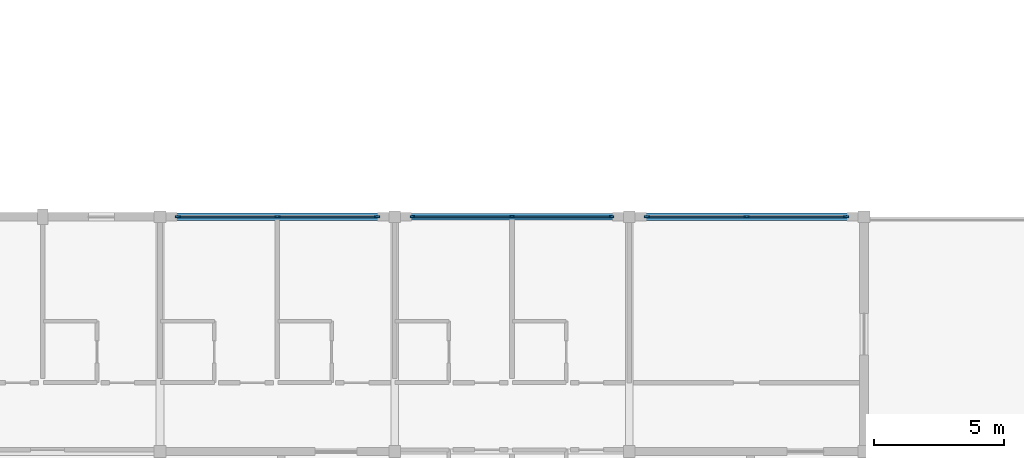
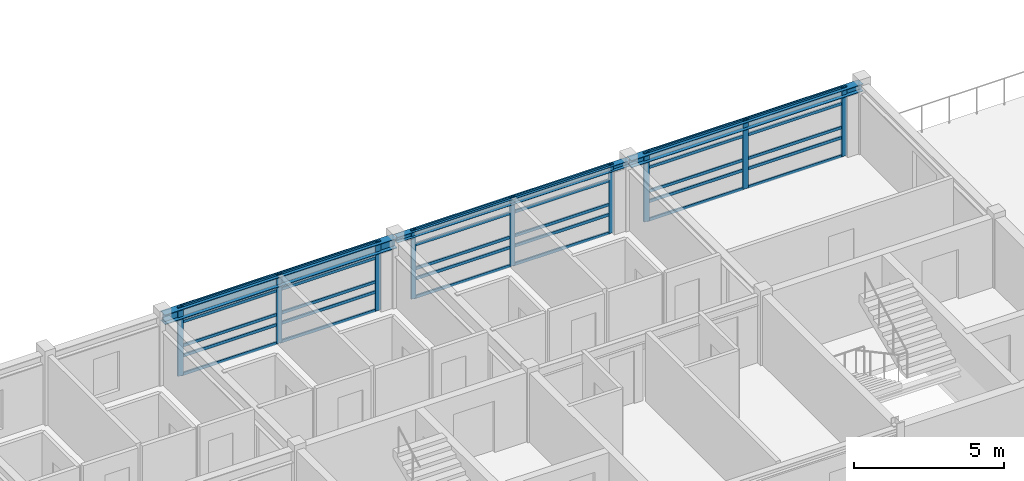
# One storey, part 5 of 24: 39 members, 3 beams, 3 elements without a shape of their own.
"""IFC4 building model written with IfcOpenShell, lengths in metres."""

from ifc_helpers import new_model, si_unit, direction, frame, origin, origin_2d, place, context, subcontext, project, spatial, rectangle, i_section, extrude, material, material_profile, profile_set, type_object, element, aggregate, save


model = new_model("IFC4")

# Units and contexts
model_context = context("Model", 3, precision=1e-05, world=origin(), true_north=direction((0.0, 1.0)))
body_context = subcontext(model_context, "Body", "Model", "MODEL_VIEW")
ifc_project = project(units=[si_unit("LENGTHUNIT", "METRE"), si_unit("AREAUNIT", "SQUARE_METRE"), si_unit("VOLUMEUNIT", "CUBIC_METRE"), si_unit("PLANEANGLEUNIT", "RADIAN"), si_unit("MASSUNIT", "GRAM", prefix="KILO")], contexts=[model_context])

# Site, building, storey
site_placement = place(None, origin())
site = spatial("IfcSite", under=ifc_project, at=site_placement, CompositionType="ELEMENT")
building_placement = place(site_placement, origin())
building = spatial("IfcBuilding", under=site, at=building_placement, Name="Palais des Congres Ocreval", CompositionType="ELEMENT")
storey_placement = place(building_placement, frame((0.0, 0.0, 17.60009765625)))
storey = spatial("IfcBuildingStorey", under=building, at=storey_placement, Name="L05", CompositionType="ELEMENT", Elevation=17.60009765625)

# Curtain wall, members
ifc_material_1 = material(Name="Anodized bronze aluminium and low-E glass", Category="glass")
curtain_wall_type = type_object("IfcCurtainWallType", Name="Unitised Curtain Wall 7900x2820", PredefinedType="USERDEFINED", material=ifc_material_1)
curtain_wall_1_placement = place(storey_placement, origin())
curtain_wall_1 = element("IfcCurtainWall", 1, at=curtain_wall_1_placement, inside=storey, type_object=curtain_wall_type, Name="Unitised Curtain Wall CW04 L05", ObjectType="UNITISED CURTAIN WALL", PredefinedType="USERDEFINED")
ifc_material_2 = material(Name="Anodized bronze aluminium", Category="aluminium")
ifc_material_profile_1 = material_profile(ifc_material_2, rectangle(XDim=0.06494140625, YDim=0.179931640625, at=origin_2d()), Name="ALU 65x180")
ifc_profile_set_1 = profile_set([ifc_material_profile_1], Name="Anodized bronze aluminium")
member_type_1 = type_object("IfcMemberType", Name="Curtain Wall Mullion ALU 65x180", PredefinedType="MULLION", material=ifc_profile_set_1)
member_1_placement = place(storey_placement, frame((45.6826171875, 18.0, 0.0), z_axis=(0.0, 0.0, 1.0), x_axis=(0.0, 1.0, 0.0)))
member_1 = element("IfcMember", 2, at=member_1_placement, type_object=member_type_1, Name="Curtain Wall Mullion ML03", PredefinedType="MULLION", context=body_context, shape_type="SweptSolid", body=[
    extrude(rectangle(XDim=0.06494140625, YDim=0.179931640625, at=origin_2d()), origin(), (0.0, 0.0, 1.0), 2.81982421875),
])
member_2_placement = place(storey_placement, frame((49.5, 18.0, 0.0), z_axis=(0.0, 0.0, 1.0), x_axis=(0.0, 1.0, 0.0)))
member_2 = element("IfcMember", 3, at=member_2_placement, type_object=member_type_1, Name="Curtain Wall Mullion ML03", PredefinedType="MULLION", context=body_context, shape_type="SweptSolid", body=[
    extrude(rectangle(XDim=0.06494140625, YDim=0.179931640625, at=origin_2d()), origin(), (0.0, 0.0, 1.0), 2.81982421875),
])
member_3_placement = place(storey_placement, frame((53.3173828125, 18.0, 0.0), z_axis=(0.0, 0.0, 1.0), x_axis=(0.0, 1.0, 0.0)))
member_3 = element("IfcMember", 4, at=member_3_placement, type_object=member_type_1, Name="Curtain Wall Mullion ML03", PredefinedType="MULLION", context=body_context, shape_type="SweptSolid", body=[
    extrude(rectangle(XDim=0.06494140625, YDim=0.179931640625, at=origin_2d()), origin(), (0.0, 0.0, 1.0), 2.81982421875),
])

curtain_wall_2_placement = place(storey_placement, origin())
curtain_wall_2 = element("IfcCurtainWall", 5, at=curtain_wall_2_placement, inside=storey, type_object=curtain_wall_type, Name="Unitised Curtain Wall CW04 L05", ObjectType="UNITISED CURTAIN WALL", PredefinedType="USERDEFINED")
ifc_material_profile_2 = material_profile(ifc_material_2, rectangle(XDim=0.070068359375, YDim=0.2099609375, at=origin_2d()), Name="ALU 70x210")
ifc_profile_set_2 = profile_set([ifc_material_profile_2], Name="Anodized bronze aluminium")
member_type_2 = type_object("IfcMemberType", Name="Curtain Wall Mullion ALU 70x210", PredefinedType="MULLION", material=ifc_profile_set_2)
member_4_placement = place(storey_placement, frame((36.68505859375, 18.0, 0.0), z_axis=(0.0, 0.0, 1.0), x_axis=(0.0, 1.0, 0.0)))
member_4 = element("IfcMember", 6, at=member_4_placement, type_object=member_type_2, Name="Curtain Wall Mullion ML02", PredefinedType="MULLION", context=body_context, shape_type="SweptSolid", body=[
    extrude(rectangle(XDim=0.070068359375, YDim=0.2099609375, at=origin_2d()), origin(), (0.0, 0.0, 1.0), 2.81982421875),
])
member_5_placement = place(storey_placement, frame((40.5, 18.0, 0.0), z_axis=(0.0, 0.0, 1.0), x_axis=(0.0, 1.0, 0.0)))
member_5 = element("IfcMember", 7, at=member_5_placement, type_object=member_type_2, Name="Curtain Wall Mullion ML02", PredefinedType="MULLION", context=body_context, shape_type="SweptSolid", body=[
    extrude(rectangle(XDim=0.070068359375, YDim=0.2099609375, at=origin_2d()), origin(), (0.0, 0.0, 1.0), 2.81982421875),
])
member_6_placement = place(storey_placement, frame((44.31494140625, 18.0, 0.0), z_axis=(0.0, 0.0, 1.0), x_axis=(0.0, 1.0, 0.0)))
member_6 = element("IfcMember", 8, at=member_6_placement, type_object=member_type_2, Name="Curtain Wall Mullion ML02", PredefinedType="MULLION", context=body_context, shape_type="SweptSolid", body=[
    extrude(rectangle(XDim=0.070068359375, YDim=0.2099609375, at=origin_2d()), origin(), (0.0, 0.0, 1.0), 2.81982421875),
])

curtain_wall_3_placement = place(storey_placement, origin())
curtain_wall_3 = element("IfcCurtainWall", 9, at=curtain_wall_3_placement, inside=storey, type_object=curtain_wall_type, Name="Unitised Curtain Wall CW04 L05", ObjectType="UNITISED CURTAIN WALL", PredefinedType="USERDEFINED")
member_7_placement = place(storey_placement, frame((54.68505859375, 18.0, 0.0), z_axis=(0.0, 0.0, 1.0), x_axis=(0.0, 1.0, 0.0)))
member_7 = element("IfcMember", 10, at=member_7_placement, type_object=member_type_2, Name="Curtain Wall Mullion ML02", PredefinedType="MULLION", context=body_context, shape_type="SweptSolid", body=[
    extrude(rectangle(XDim=0.070068359375, YDim=0.2099609375, at=origin_2d()), origin(), (0.0, 0.0, 1.0), 2.81982421875),
])
member_8_placement = place(storey_placement, frame((58.5, 18.0, 0.0), z_axis=(0.0, 0.0, 1.0), x_axis=(0.0, 1.0, 0.0)))
member_8 = element("IfcMember", 11, at=member_8_placement, type_object=member_type_2, Name="Curtain Wall Mullion ML02", PredefinedType="MULLION", context=body_context, shape_type="SweptSolid", body=[
    extrude(rectangle(XDim=0.070068359375, YDim=0.2099609375, at=origin_2d()), origin(), (0.0, 0.0, 1.0), 2.81982421875),
])
member_9_placement = place(storey_placement, frame((62.31494140625, 18.0, 0.0), z_axis=(0.0, 0.0, 1.0), x_axis=(0.0, 1.0, 0.0)))
member_9 = element("IfcMember", 12, at=member_9_placement, type_object=member_type_2, Name="Curtain Wall Mullion ML02", PredefinedType="MULLION", context=body_context, shape_type="SweptSolid", body=[
    extrude(rectangle(XDim=0.070068359375, YDim=0.2099609375, at=origin_2d()), origin(), (0.0, 0.0, 1.0), 2.81982421875),
])

# Member
ifc_material_profile_3 = material_profile(ifc_material_2, rectangle(XDim=0.06005859375, YDim=0.1201171875, at=origin_2d()), Name="ALU 60x120")
ifc_profile_set_3 = profile_set([ifc_material_profile_3], Name="Anodized bronze aluminium")
member_type_3 = type_object("IfcMemberType", Name="Curtain Wall Transom ALU 60x120", PredefinedType="USERDEFINED", material=ifc_profile_set_3)
member_10_placement = place(storey_placement, frame((36.719970703125, 18.0, 0.02978515625), z_axis=(1.0, 0.0, 0.0), x_axis=(0.0, 1.0, 0.0)))
member_10 = element("IfcMember", 13, at=member_10_placement, type_object=member_type_3, Name="Curtain Wall Transom TR02", ObjectType="TRANSOM", PredefinedType="USERDEFINED", context=body_context, shape_type="SweptSolid", body=[
    extrude(rectangle(XDim=0.06005859375, YDim=0.1201171875, at=origin_2d()), origin(), (0.0, 0.0, 1.0), 3.7451171875),
])

member_11_placement = place(storey_placement, frame((36.719970703125, 18.0, 0.77978515625), z_axis=(1.0, 0.0, 0.0), x_axis=(0.0, 1.0, 0.0)))
member_11 = element("IfcMember", 14, at=member_11_placement, type_object=member_type_3, Name="Curtain Wall Transom TR02", ObjectType="TRANSOM", PredefinedType="USERDEFINED", context=body_context, shape_type="SweptSolid", body=[
    extrude(rectangle(XDim=0.06005859375, YDim=0.1201171875, at=origin_2d()), origin(), (0.0, 0.0, 1.0), 3.7451171875),
])

member_12_placement = place(storey_placement, frame((36.719970703125, 18.0, 1.193359375), z_axis=(1.0, 0.0, 0.0), x_axis=(0.0, 1.0, 0.0)))
member_12 = element("IfcMember", 15, at=member_12_placement, type_object=member_type_3, Name="Curtain Wall Transom TR02", ObjectType="TRANSOM", PredefinedType="USERDEFINED", context=body_context, shape_type="SweptSolid", body=[
    extrude(rectangle(XDim=0.06005859375, YDim=0.1201171875, at=origin_2d()), origin(), (0.0, 0.0, 1.0), 3.7451171875),
])

member_13_placement = place(storey_placement, frame((36.719970703125, 18.0, 2.169921875), z_axis=(1.0, 0.0, 0.0), x_axis=(0.0, 1.0, 0.0)))
member_13 = element("IfcMember", 16, at=member_13_placement, type_object=member_type_3, Name="Curtain Wall Transom TR02", ObjectType="TRANSOM", PredefinedType="USERDEFINED", context=body_context, shape_type="SweptSolid", body=[
    extrude(rectangle(XDim=0.06005859375, YDim=0.1201171875, at=origin_2d()), origin(), (0.0, 0.0, 1.0), 3.7451171875),
])

member_14_placement = place(storey_placement, frame((36.719970703125, 18.0, 2.789794921875), z_axis=(1.0, 0.0, 0.0), x_axis=(0.0, 1.0, 0.0)))
member_14 = element("IfcMember", 17, at=member_14_placement, type_object=member_type_3, Name="Curtain Wall Transom TR02", ObjectType="TRANSOM", PredefinedType="USERDEFINED", context=body_context, shape_type="SweptSolid", body=[
    extrude(rectangle(XDim=0.06005859375, YDim=0.1201171875, at=origin_2d()), origin(), (0.0, 0.0, 1.0), 3.7451171875),
])

member_15_placement = place(storey_placement, frame((40.534912109375, 18.0, 0.02978515625), z_axis=(1.0, 0.0, 0.0), x_axis=(0.0, 1.0, 0.0)))
member_15 = element("IfcMember", 18, at=member_15_placement, type_object=member_type_3, Name="Curtain Wall Transom TR02", ObjectType="TRANSOM", PredefinedType="USERDEFINED", context=body_context, shape_type="SweptSolid", body=[
    extrude(rectangle(XDim=0.06005859375, YDim=0.1201171875, at=origin_2d()), origin(), (0.0, 0.0, 1.0), 3.7451171875),
])

member_16_placement = place(storey_placement, frame((40.534912109375, 18.0, 0.77978515625), z_axis=(1.0, 0.0, 0.0), x_axis=(0.0, 1.0, 0.0)))
member_16 = element("IfcMember", 19, at=member_16_placement, type_object=member_type_3, Name="Curtain Wall Transom TR02", ObjectType="TRANSOM", PredefinedType="USERDEFINED", context=body_context, shape_type="SweptSolid", body=[
    extrude(rectangle(XDim=0.06005859375, YDim=0.1201171875, at=origin_2d()), origin(), (0.0, 0.0, 1.0), 3.7451171875),
])

member_17_placement = place(storey_placement, frame((40.534912109375, 18.0, 1.193359375), z_axis=(1.0, 0.0, 0.0), x_axis=(0.0, 1.0, 0.0)))
member_17 = element("IfcMember", 20, at=member_17_placement, type_object=member_type_3, Name="Curtain Wall Transom TR02", ObjectType="TRANSOM", PredefinedType="USERDEFINED", context=body_context, shape_type="SweptSolid", body=[
    extrude(rectangle(XDim=0.06005859375, YDim=0.1201171875, at=origin_2d()), origin(), (0.0, 0.0, 1.0), 3.7451171875),
])

member_18_placement = place(storey_placement, frame((40.534912109375, 18.0, 2.169921875), z_axis=(1.0, 0.0, 0.0), x_axis=(0.0, 1.0, 0.0)))
member_18 = element("IfcMember", 21, at=member_18_placement, type_object=member_type_3, Name="Curtain Wall Transom TR02", ObjectType="TRANSOM", PredefinedType="USERDEFINED", context=body_context, shape_type="SweptSolid", body=[
    extrude(rectangle(XDim=0.06005859375, YDim=0.1201171875, at=origin_2d()), origin(), (0.0, 0.0, 1.0), 3.7451171875),
])

member_19_placement = place(storey_placement, frame((40.534912109375, 18.0, 2.789794921875), z_axis=(1.0, 0.0, 0.0), x_axis=(0.0, 1.0, 0.0)))
member_19 = element("IfcMember", 22, at=member_19_placement, type_object=member_type_3, Name="Curtain Wall Transom TR02", ObjectType="TRANSOM", PredefinedType="USERDEFINED", context=body_context, shape_type="SweptSolid", body=[
    extrude(rectangle(XDim=0.06005859375, YDim=0.1201171875, at=origin_2d()), origin(), (0.0, 0.0, 1.0), 3.7451171875),
])

aggregate(curtain_wall_2, [member_4, member_5, member_6, member_10, member_11, member_12, member_13, member_14, member_15, member_16, member_17, member_18, member_19])

member_20_placement = place(storey_placement, frame((45.715087890625, 18.0, 0.02978515625), z_axis=(1.0, 0.0, 0.0), x_axis=(0.0, 1.0, 0.0)))
member_20 = element("IfcMember", 23, at=member_20_placement, type_object=member_type_3, Name="Curtain Wall Transom TR02", ObjectType="TRANSOM", PredefinedType="USERDEFINED", context=body_context, shape_type="SweptSolid", body=[
    extrude(rectangle(XDim=0.06005859375, YDim=0.1201171875, at=origin_2d()), origin(), (0.0, 0.0, 1.0), 3.75244140625),
])

member_21_placement = place(storey_placement, frame((45.715087890625, 18.0, 0.77978515625), z_axis=(1.0, 0.0, 0.0), x_axis=(0.0, 1.0, 0.0)))
member_21 = element("IfcMember", 24, at=member_21_placement, type_object=member_type_3, Name="Curtain Wall Transom TR02", ObjectType="TRANSOM", PredefinedType="USERDEFINED", context=body_context, shape_type="SweptSolid", body=[
    extrude(rectangle(XDim=0.06005859375, YDim=0.1201171875, at=origin_2d()), origin(), (0.0, 0.0, 1.0), 3.75244140625),
])

member_22_placement = place(storey_placement, frame((45.715087890625, 18.0, 1.193359375), z_axis=(1.0, 0.0, 0.0), x_axis=(0.0, 1.0, 0.0)))
member_22 = element("IfcMember", 25, at=member_22_placement, type_object=member_type_3, Name="Curtain Wall Transom TR02", ObjectType="TRANSOM", PredefinedType="USERDEFINED", context=body_context, shape_type="SweptSolid", body=[
    extrude(rectangle(XDim=0.06005859375, YDim=0.1201171875, at=origin_2d()), origin(), (0.0, 0.0, 1.0), 3.75244140625),
])

member_23_placement = place(storey_placement, frame((45.715087890625, 18.0, 2.169921875), z_axis=(1.0, 0.0, 0.0), x_axis=(0.0, 1.0, 0.0)))
member_23 = element("IfcMember", 26, at=member_23_placement, type_object=member_type_3, Name="Curtain Wall Transom TR02", ObjectType="TRANSOM", PredefinedType="USERDEFINED", context=body_context, shape_type="SweptSolid", body=[
    extrude(rectangle(XDim=0.06005859375, YDim=0.1201171875, at=origin_2d()), origin(), (0.0, 0.0, 1.0), 3.75244140625),
])

member_24_placement = place(storey_placement, frame((45.715087890625, 18.0, 2.789794921875), z_axis=(1.0, 0.0, 0.0), x_axis=(0.0, 1.0, 0.0)))
member_24 = element("IfcMember", 27, at=member_24_placement, type_object=member_type_3, Name="Curtain Wall Transom TR02", ObjectType="TRANSOM", PredefinedType="USERDEFINED", context=body_context, shape_type="SweptSolid", body=[
    extrude(rectangle(XDim=0.06005859375, YDim=0.1201171875, at=origin_2d()), origin(), (0.0, 0.0, 1.0), 3.75244140625),
])

member_25_placement = place(storey_placement, frame((49.532470703125, 18.0, 0.02978515625), z_axis=(1.0, 0.0, 0.0), x_axis=(0.0, 1.0, 0.0)))
member_25 = element("IfcMember", 28, at=member_25_placement, type_object=member_type_3, Name="Curtain Wall Transom TR02", ObjectType="TRANSOM", PredefinedType="USERDEFINED", context=body_context, shape_type="SweptSolid", body=[
    extrude(rectangle(XDim=0.06005859375, YDim=0.1201171875, at=origin_2d()), origin(), (0.0, 0.0, 1.0), 3.75244140625),
])

member_26_placement = place(storey_placement, frame((49.532470703125, 18.0, 0.77978515625), z_axis=(1.0, 0.0, 0.0), x_axis=(0.0, 1.0, 0.0)))
member_26 = element("IfcMember", 29, at=member_26_placement, type_object=member_type_3, Name="Curtain Wall Transom TR02", ObjectType="TRANSOM", PredefinedType="USERDEFINED", context=body_context, shape_type="SweptSolid", body=[
    extrude(rectangle(XDim=0.06005859375, YDim=0.1201171875, at=origin_2d()), origin(), (0.0, 0.0, 1.0), 3.75244140625),
])

member_27_placement = place(storey_placement, frame((49.532470703125, 18.0, 1.193359375), z_axis=(1.0, 0.0, 0.0), x_axis=(0.0, 1.0, 0.0)))
member_27 = element("IfcMember", 30, at=member_27_placement, type_object=member_type_3, Name="Curtain Wall Transom TR02", ObjectType="TRANSOM", PredefinedType="USERDEFINED", context=body_context, shape_type="SweptSolid", body=[
    extrude(rectangle(XDim=0.06005859375, YDim=0.1201171875, at=origin_2d()), origin(), (0.0, 0.0, 1.0), 3.75244140625),
])

member_28_placement = place(storey_placement, frame((49.532470703125, 18.0, 2.169921875), z_axis=(1.0, 0.0, 0.0), x_axis=(0.0, 1.0, 0.0)))
member_28 = element("IfcMember", 31, at=member_28_placement, type_object=member_type_3, Name="Curtain Wall Transom TR02", ObjectType="TRANSOM", PredefinedType="USERDEFINED", context=body_context, shape_type="SweptSolid", body=[
    extrude(rectangle(XDim=0.06005859375, YDim=0.1201171875, at=origin_2d()), origin(), (0.0, 0.0, 1.0), 3.75244140625),
])

member_29_placement = place(storey_placement, frame((49.532470703125, 18.0, 2.789794921875), z_axis=(1.0, 0.0, 0.0), x_axis=(0.0, 1.0, 0.0)))
member_29 = element("IfcMember", 32, at=member_29_placement, type_object=member_type_3, Name="Curtain Wall Transom TR02", ObjectType="TRANSOM", PredefinedType="USERDEFINED", context=body_context, shape_type="SweptSolid", body=[
    extrude(rectangle(XDim=0.06005859375, YDim=0.1201171875, at=origin_2d()), origin(), (0.0, 0.0, 1.0), 3.75244140625),
])

aggregate(curtain_wall_1, [member_1, member_2, member_3, member_20, member_21, member_22, member_23, member_24, member_25, member_26, member_27, member_28, member_29])

member_30_placement = place(storey_placement, frame((54.719970703125, 18.0, 0.02978515625), z_axis=(1.0, 0.0, 0.0), x_axis=(0.0, 1.0, 0.0)))
member_30 = element("IfcMember", 33, at=member_30_placement, type_object=member_type_3, Name="Curtain Wall Transom TR02", ObjectType="TRANSOM", PredefinedType="USERDEFINED", context=body_context, shape_type="SweptSolid", body=[
    extrude(rectangle(XDim=0.06005859375, YDim=0.1201171875, at=origin_2d()), origin(), (0.0, 0.0, 1.0), 3.7451171875),
])

member_31_placement = place(storey_placement, frame((54.719970703125, 18.0, 0.77978515625), z_axis=(1.0, 0.0, 0.0), x_axis=(0.0, 1.0, 0.0)))
member_31 = element("IfcMember", 34, at=member_31_placement, type_object=member_type_3, Name="Curtain Wall Transom TR02", ObjectType="TRANSOM", PredefinedType="USERDEFINED", context=body_context, shape_type="SweptSolid", body=[
    extrude(rectangle(XDim=0.06005859375, YDim=0.1201171875, at=origin_2d()), origin(), (0.0, 0.0, 1.0), 3.7451171875),
])

member_32_placement = place(storey_placement, frame((54.719970703125, 18.0, 1.193359375), z_axis=(1.0, 0.0, 0.0), x_axis=(0.0, 1.0, 0.0)))
member_32 = element("IfcMember", 35, at=member_32_placement, type_object=member_type_3, Name="Curtain Wall Transom TR02", ObjectType="TRANSOM", PredefinedType="USERDEFINED", context=body_context, shape_type="SweptSolid", body=[
    extrude(rectangle(XDim=0.06005859375, YDim=0.1201171875, at=origin_2d()), origin(), (0.0, 0.0, 1.0), 3.7451171875),
])

member_33_placement = place(storey_placement, frame((54.719970703125, 18.0, 2.169921875), z_axis=(1.0, 0.0, 0.0), x_axis=(0.0, 1.0, 0.0)))
member_33 = element("IfcMember", 36, at=member_33_placement, type_object=member_type_3, Name="Curtain Wall Transom TR02", ObjectType="TRANSOM", PredefinedType="USERDEFINED", context=body_context, shape_type="SweptSolid", body=[
    extrude(rectangle(XDim=0.06005859375, YDim=0.1201171875, at=origin_2d()), origin(), (0.0, 0.0, 1.0), 3.7451171875),
])

member_34_placement = place(storey_placement, frame((54.719970703125, 18.0, 2.789794921875), z_axis=(1.0, 0.0, 0.0), x_axis=(0.0, 1.0, 0.0)))
member_34 = element("IfcMember", 37, at=member_34_placement, type_object=member_type_3, Name="Curtain Wall Transom TR02", ObjectType="TRANSOM", PredefinedType="USERDEFINED", context=body_context, shape_type="SweptSolid", body=[
    extrude(rectangle(XDim=0.06005859375, YDim=0.1201171875, at=origin_2d()), origin(), (0.0, 0.0, 1.0), 3.7451171875),
])

member_35_placement = place(storey_placement, frame((58.534912109375, 18.0, 0.02978515625), z_axis=(1.0, 0.0, 0.0), x_axis=(0.0, 1.0, 0.0)))
member_35 = element("IfcMember", 38, at=member_35_placement, type_object=member_type_3, Name="Curtain Wall Transom TR02", ObjectType="TRANSOM", PredefinedType="USERDEFINED", context=body_context, shape_type="SweptSolid", body=[
    extrude(rectangle(XDim=0.06005859375, YDim=0.1201171875, at=origin_2d()), origin(), (0.0, 0.0, 1.0), 3.7451171875),
])

member_36_placement = place(storey_placement, frame((58.534912109375, 18.0, 0.77978515625), z_axis=(1.0, 0.0, 0.0), x_axis=(0.0, 1.0, 0.0)))
member_36 = element("IfcMember", 39, at=member_36_placement, type_object=member_type_3, Name="Curtain Wall Transom TR02", ObjectType="TRANSOM", PredefinedType="USERDEFINED", context=body_context, shape_type="SweptSolid", body=[
    extrude(rectangle(XDim=0.06005859375, YDim=0.1201171875, at=origin_2d()), origin(), (0.0, 0.0, 1.0), 3.7451171875),
])

member_37_placement = place(storey_placement, frame((58.534912109375, 18.0, 1.193359375), z_axis=(1.0, 0.0, 0.0), x_axis=(0.0, 1.0, 0.0)))
member_37 = element("IfcMember", 40, at=member_37_placement, type_object=member_type_3, Name="Curtain Wall Transom TR02", ObjectType="TRANSOM", PredefinedType="USERDEFINED", context=body_context, shape_type="SweptSolid", body=[
    extrude(rectangle(XDim=0.06005859375, YDim=0.1201171875, at=origin_2d()), origin(), (0.0, 0.0, 1.0), 3.7451171875),
])

member_38_placement = place(storey_placement, frame((58.534912109375, 18.0, 2.169921875), z_axis=(1.0, 0.0, 0.0), x_axis=(0.0, 1.0, 0.0)))
member_38 = element("IfcMember", 41, at=member_38_placement, type_object=member_type_3, Name="Curtain Wall Transom TR02", ObjectType="TRANSOM", PredefinedType="USERDEFINED", context=body_context, shape_type="SweptSolid", body=[
    extrude(rectangle(XDim=0.06005859375, YDim=0.1201171875, at=origin_2d()), origin(), (0.0, 0.0, 1.0), 3.7451171875),
])

member_39_placement = place(storey_placement, frame((58.534912109375, 18.0, 2.789794921875), z_axis=(1.0, 0.0, 0.0), x_axis=(0.0, 1.0, 0.0)))
member_39 = element("IfcMember", 42, at=member_39_placement, type_object=member_type_3, Name="Curtain Wall Transom TR02", ObjectType="TRANSOM", PredefinedType="USERDEFINED", context=body_context, shape_type="SweptSolid", body=[
    extrude(rectangle(XDim=0.06005859375, YDim=0.1201171875, at=origin_2d()), origin(), (0.0, 0.0, 1.0), 3.7451171875),
])

aggregate(curtain_wall_3, [member_7, member_8, member_9, member_30, member_31, member_32, member_33, member_34, member_35, member_36, member_37, member_38, member_39])

# Beams
ifc_material_3 = material(Name="Steel S355", Category="steel")
ifc_material_profile_4 = material_profile(ifc_material_3, i_section(OverallWidth=0.239990234375, OverallDepth=0.22998046875, WebThickness=0.007568359375, FlangeThickness=0.011962890625, at=origin_2d()), Name="HEA 240")
ifc_profile_set_4 = profile_set([ifc_material_profile_4], Name="Steel S355")
beam_type_1 = type_object("IfcBeamType", Name="Perimeter Spandrel HEA 240 Steel S355", PredefinedType="SPANDREL", material=ifc_profile_set_4)
beam_1_placement = place(storey_placement, frame((45.02001953125, 18.0, 2.664794921875), z_axis=(1.0, 0.0, 0.0), x_axis=(0.0, 1.0, 0.0)))
element("IfcBeam", 43, at=beam_1_placement, inside=storey, type_object=beam_type_1, Name="Beam SP01 L05", PredefinedType="SPANDREL", context=body_context, shape_type="SweptSolid", body=[
    extrude(i_section(OverallWidth=0.239990234375, OverallDepth=0.22998046875, WebThickness=0.007568359375, FlangeThickness=0.011962890625, at=origin_2d()), origin(), (0.0, 0.0, 1.0), 8.9599609375),
])
ifc_material_profile_5 = material_profile(ifc_material_3, i_section(OverallWidth=0.300048828125, OverallDepth=0.300048828125, WebThickness=0.010986328125, FlangeThickness=0.01904296875, at=origin_2d()), Name="HEB 300")
ifc_profile_set_5 = profile_set([ifc_material_profile_5], Name="Steel S355")
beam_type_2 = type_object("IfcBeamType", Name="Perimeter Spandrel HEB 300 Steel S355", PredefinedType="SPANDREL", material=ifc_profile_set_5)
beam_2_placement = place(storey_placement, frame((54.02001953125, 18.0, 2.6298828125), z_axis=(1.0, 0.0, 0.0), x_axis=(0.0, 1.0, 0.0)))
element("IfcBeam", 44, at=beam_2_placement, inside=storey, type_object=beam_type_2, Name="Beam SP02 L05", PredefinedType="SPANDREL", context=body_context, shape_type="SweptSolid", body=[
    extrude(i_section(OverallWidth=0.300048828125, OverallDepth=0.300048828125, WebThickness=0.010986328125, FlangeThickness=0.01904296875, at=origin_2d()), origin(), (0.0, 0.0, 1.0), 8.9599609375),
])
ifc_material_profile_6 = material_profile(ifc_material_3, i_section(OverallWidth=0.300048828125, OverallDepth=0.39990234375, WebThickness=0.013427734375, FlangeThickness=0.02392578125, at=origin_2d()), Name="HEB 400")
ifc_profile_set_6 = profile_set([ifc_material_profile_6], Name="Steel S355")
beam_type_3 = type_object("IfcBeamType", Name="Perimeter Spandrel HEB 400 Steel S355", PredefinedType="SPANDREL", material=ifc_profile_set_6)
beam_3_placement = place(storey_placement, frame((36.02001953125, 18.0, 2.579833984375), z_axis=(1.0, 0.0, 0.0), x_axis=(0.0, 1.0, 0.0)))
element("IfcBeam", 45, at=beam_3_placement, inside=storey, type_object=beam_type_3, Name="Beam SP04 L05", PredefinedType="SPANDREL", context=body_context, shape_type="SweptSolid", body=[
    extrude(i_section(OverallWidth=0.300048828125, OverallDepth=0.39990234375, WebThickness=0.013427734375, FlangeThickness=0.02392578125, at=origin_2d()), origin(), (0.0, 0.0, 1.0), 8.9599609375),
])

save(model, "model.ifc")
